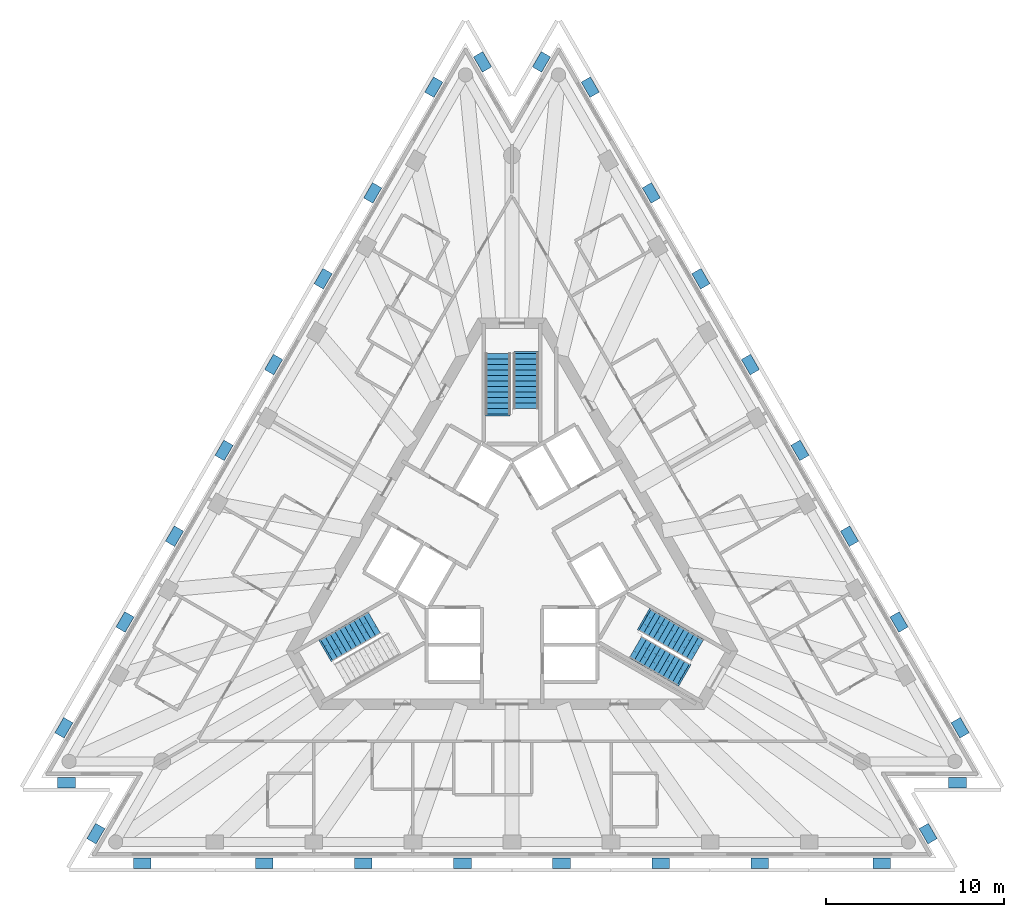
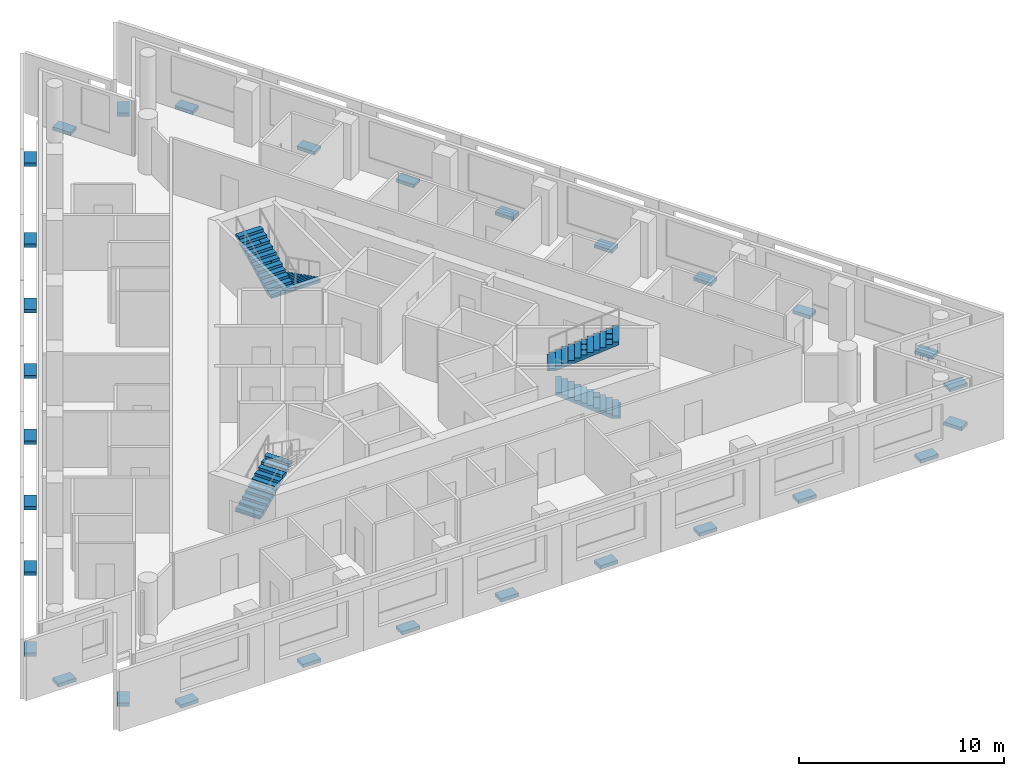
# One storey, part 8 of 10: 30 discrete accessories, 5 stair flights, 3 elements without a shape of their own.
"""IFC4 building model written with IfcOpenShell, lengths in metres."""

from ifc_helpers import new_model, si_unit, direction, frame, origin, origin_2d, place, context, subcontext, project, spatial, polyline, rectangle, outline, extrude, material, type_object, element, aggregate, save


model = new_model("IFC4")

# Units and contexts
model_context = context("Model", 3, precision=1e-05, world=origin(), true_north=direction((0.0, 1.0)))
body_context = subcontext(model_context, "Body", "Model", "MODEL_VIEW")
ifc_project = project(units=[si_unit("LENGTHUNIT", "METRE"), si_unit("AREAUNIT", "SQUARE_METRE"), si_unit("VOLUMEUNIT", "CUBIC_METRE"), si_unit("PLANEANGLEUNIT", "RADIAN"), si_unit("MASSUNIT", "GRAM", prefix="KILO")], contexts=[model_context])

# Site, building, storey
site_placement = place(None, origin())
site = spatial("IfcSite", under=ifc_project, at=site_placement, CompositionType="ELEMENT")
building_placement = place(site_placement, origin())
building = spatial("IfcBuilding", under=site, at=building_placement, Name="Triada Interchange Tower", CompositionType="ELEMENT")
storey_placement = place(building_placement, frame((0.0, 0.0, 268.300048828125)))
storey = spatial("IfcBuildingStorey", under=building, at=storey_placement, Name="L62", CompositionType="ELEMENT", Elevation=268.300048828125)

# Stair, stair flights
ifc_material_1 = material(Name="Concrete C35/45", Category="concrete")
stair_type = type_object("IfcStairType", Name="HALF TURN STAIR 1400", PredefinedType="HALF_TURN_STAIR", material=ifc_material_1)
stair_1_placement = place(storey_placement, origin())
stair_1 = element("IfcStair", 1, at=stair_1_placement, inside=storey, type_object=stair_type, Name="Exit stair S62-1", PredefinedType="HALF_TURN_STAIR")
stair_flight_type = type_object("IfcStairFlightType", Name="STRAIGHT STAIR FLIGHT 1400", PredefinedType="STRAIGHT", material=ifc_material_1)
stair_flight_1_placement = place(storey_placement, frame((0.800048828125, 11.60009765625, 0.0), z_axis=(0.0, 0.0, 1.0), x_axis=(0.0, -1.0, 0.0)))
stair_flight_1 = element("IfcStairFlight", 2, at=stair_flight_1_placement, type_object=stair_flight_type, Name="S62-1 flight 1", NumberOfRisers=11, NumberOfTreads=10, PredefinedType="STRAIGHT", RiserHeight=0.15652, TreadLength=0.31, context=body_context, shape_type="SweptSolid", body=[
    extrude(outline(polyline([(-0.10009765625, 0.0), (-0.10009765625, 0.02001953125), (0.0, 0.02001953125), (0.0, 0.156494140625), (0.31005859375, 0.156494140625), (0.31005859375, 0.31298828125), (0.6201171875, 0.31298828125), (0.6201171875, 0.469482421875), (0.929931640625, 0.469482421875), (0.929931640625, 0.6259765625), (1.239990234375, 0.6259765625), (1.239990234375, 0.78271484375), (1.550048828125, 0.78271484375), (1.550048828125, 0.939208984375), (1.860107421875, 0.939208984375), (1.860107421875, 1.095703125), (2.169921875, 1.095703125), (2.169921875, 1.252197265625), (2.47998046875, 1.252197265625), (2.47998046875, 1.40869140625), (2.7900390625, 1.40869140625), (2.7900390625, 1.565185546875), (3.10009765625, 1.565185546875), (3.10400390625, 1.565185546875), (3.10400390625, 1.7216796875), (3.10400390625, 1.397216796875), (0.33251953125, 0.0), (-0.10009765625, 0.0)])), frame((0.0, 0.699951171875, 0.0), z_axis=(0.0, -1.0, 0.0), x_axis=(1.0, 0.0, 0.0)), (0.0, 0.0, 1.0), 0.46533203125),
    extrude(outline(polyline([(-0.10009765625, 0.0), (-0.10009765625, 0.02001953125), (0.0, 0.02001953125), (0.0, 0.156494140625), (0.31005859375, 0.156494140625), (0.31005859375, 0.31298828125), (0.6201171875, 0.31298828125), (0.6201171875, 0.469482421875), (0.929931640625, 0.469482421875), (0.929931640625, 0.6259765625), (1.239990234375, 0.6259765625), (1.239990234375, 0.78271484375), (1.550048828125, 0.78271484375), (1.550048828125, 0.939208984375), (1.860107421875, 0.939208984375), (1.860107421875, 1.095703125), (2.169921875, 1.095703125), (2.169921875, 1.252197265625), (2.47998046875, 1.252197265625), (2.47998046875, 1.40869140625), (2.7900390625, 1.40869140625), (2.7900390625, 1.565185546875), (3.10009765625, 1.565185546875), (3.10400390625, 1.565185546875), (3.10400390625, 1.7216796875), (3.10400390625, 1.397216796875), (0.33251953125, 0.0), (-0.10009765625, 0.0)])), frame((0.0, 0.232666015625, 0.0), z_axis=(0.0, -1.0, 0.0), x_axis=(1.0, 0.0, 0.0)), (0.0, 0.0, 1.0), 0.46533203125),
    extrude(outline(polyline([(-0.10009765625, 0.0), (-0.10009765625, 0.02001953125), (0.0, 0.02001953125), (0.0, 0.156494140625), (0.31005859375, 0.156494140625), (0.31005859375, 0.31298828125), (0.6201171875, 0.31298828125), (0.6201171875, 0.469482421875), (0.929931640625, 0.469482421875), (0.929931640625, 0.6259765625), (1.239990234375, 0.6259765625), (1.239990234375, 0.78271484375), (1.550048828125, 0.78271484375), (1.550048828125, 0.939208984375), (1.860107421875, 0.939208984375), (1.860107421875, 1.095703125), (2.169921875, 1.095703125), (2.169921875, 1.252197265625), (2.47998046875, 1.252197265625), (2.47998046875, 1.40869140625), (2.7900390625, 1.40869140625), (2.7900390625, 1.565185546875), (3.10009765625, 1.565185546875), (3.10400390625, 1.565185546875), (3.10400390625, 1.7216796875), (3.10400390625, 1.397216796875), (0.33251953125, 0.0), (-0.10009765625, 0.0)])), frame((0.0, -0.234619140625, 0.0), z_axis=(0.0, -1.0, 0.0), x_axis=(1.0, 0.0, 0.0)), (0.0, 0.0, 1.0), 0.46533203125),
])
stair_flight_2_placement = place(storey_placement, frame((-0.800048828125, 8.18994140625, 1.7216796875), z_axis=(0.0, 0.0, 1.0), x_axis=(0.0, 1.0, 0.0)))
stair_flight_2 = element("IfcStairFlight", 3, at=stair_flight_2_placement, type_object=stair_flight_type, Name="S62-1 flight 2", NumberOfRisers=12, NumberOfTreads=11, PredefinedType="STRAIGHT", RiserHeight=0.15652, TreadLength=0.31, context=body_context, shape_type="SweptSolid", body=[
    extrude(outline(polyline([(-0.10009765625, 0.0), (-0.10009765625, 0.02001953125), (0.0, 0.02001953125), (0.0, 0.156494140625), (0.31005859375, 0.156494140625), (0.31005859375, 0.31298828125), (0.6201171875, 0.31298828125), (0.6201171875, 0.469482421875), (0.929931640625, 0.469482421875), (0.929931640625, 0.6259765625), (1.239990234375, 0.6259765625), (1.239990234375, 0.78271484375), (1.550048828125, 0.78271484375), (1.550048828125, 0.939208984375), (1.860107421875, 0.939208984375), (1.860107421875, 1.095703125), (2.169921875, 1.095703125), (2.169921875, 1.252197265625), (2.47998046875, 1.252197265625), (2.47998046875, 1.40869140625), (2.7900390625, 1.40869140625), (2.7900390625, 1.565185546875), (3.10009765625, 1.565185546875), (3.10009765625, 1.7216796875), (3.409912109375, 1.7216796875), (3.4140625, 1.7216796875), (3.4140625, 1.878173828125), (3.4140625, 1.5537109375), (0.33251953125, 0.0), (-0.10009765625, 0.0)])), frame((0.0, 0.699951171875, 0.0), z_axis=(0.0, -1.0, 0.0), x_axis=(1.0, 0.0, 0.0)), (0.0, 0.0, 1.0), 0.46533203125),
    extrude(outline(polyline([(-0.10009765625, 0.0), (-0.10009765625, 0.02001953125), (0.0, 0.02001953125), (0.0, 0.156494140625), (0.31005859375, 0.156494140625), (0.31005859375, 0.31298828125), (0.6201171875, 0.31298828125), (0.6201171875, 0.469482421875), (0.929931640625, 0.469482421875), (0.929931640625, 0.6259765625), (1.239990234375, 0.6259765625), (1.239990234375, 0.78271484375), (1.550048828125, 0.78271484375), (1.550048828125, 0.939208984375), (1.860107421875, 0.939208984375), (1.860107421875, 1.095703125), (2.169921875, 1.095703125), (2.169921875, 1.252197265625), (2.47998046875, 1.252197265625), (2.47998046875, 1.40869140625), (2.7900390625, 1.40869140625), (2.7900390625, 1.565185546875), (3.10009765625, 1.565185546875), (3.10009765625, 1.7216796875), (3.409912109375, 1.7216796875), (3.4140625, 1.7216796875), (3.4140625, 1.878173828125), (3.4140625, 1.5537109375), (0.33251953125, 0.0), (-0.10009765625, 0.0)])), frame((0.0, 0.232666015625, 0.0), z_axis=(0.0, -1.0, 0.0), x_axis=(1.0, 0.0, 0.0)), (0.0, 0.0, 1.0), 0.46533203125),
    extrude(outline(polyline([(-0.10009765625, 0.0), (-0.10009765625, 0.02001953125), (0.0, 0.02001953125), (0.0, 0.156494140625), (0.31005859375, 0.156494140625), (0.31005859375, 0.31298828125), (0.6201171875, 0.31298828125), (0.6201171875, 0.469482421875), (0.929931640625, 0.469482421875), (0.929931640625, 0.6259765625), (1.239990234375, 0.6259765625), (1.239990234375, 0.78271484375), (1.550048828125, 0.78271484375), (1.550048828125, 0.939208984375), (1.860107421875, 0.939208984375), (1.860107421875, 1.095703125), (2.169921875, 1.095703125), (2.169921875, 1.252197265625), (2.47998046875, 1.252197265625), (2.47998046875, 1.40869140625), (2.7900390625, 1.40869140625), (2.7900390625, 1.565185546875), (3.10009765625, 1.565185546875), (3.10009765625, 1.7216796875), (3.409912109375, 1.7216796875), (3.4140625, 1.7216796875), (3.4140625, 1.878173828125), (3.4140625, 1.5537109375), (0.33251953125, 0.0), (-0.10009765625, 0.0)])), frame((0.0, -0.234619140625, 0.0), z_axis=(0.0, -1.0, 0.0), x_axis=(1.0, 0.0, 0.0)), (0.0, 0.0, 1.0), 0.46533203125),
])
aggregate(stair_1, [stair_flight_1, stair_flight_2])

# Stair, stair flight
stair_2_placement = place(storey_placement, origin())
stair_2 = element("IfcStair", 4, at=stair_2_placement, inside=storey, type_object=stair_type, Name="Exit stair S62-2", PredefinedType="HALF_TURN_STAIR")
stair_flight_3_placement = place(storey_placement, frame((-10.446044921875, -5.10693359375, 0.0), z_axis=(0.0, 0.0, 1.0), x_axis=(0.866025403784, 0.5, 0.0)))
stair_flight_3 = element("IfcStairFlight", 5, at=stair_flight_3_placement, type_object=stair_flight_type, Name="S62-2 flight 1", NumberOfRisers=11, NumberOfTreads=10, PredefinedType="STRAIGHT", RiserHeight=0.15652, TreadLength=0.31, context=body_context, shape_type="SweptSolid", body=[
    extrude(outline(polyline([(-0.10009765625, 0.0), (-0.10009765625, 0.02001953125), (0.0, 0.02001953125), (0.0, 0.156494140625), (0.31005859375, 0.156494140625), (0.31005859375, 0.31298828125), (0.6201171875, 0.31298828125), (0.6201171875, 0.469482421875), (0.929931640625, 0.469482421875), (0.929931640625, 0.6259765625), (1.239990234375, 0.6259765625), (1.239990234375, 0.78271484375), (1.550048828125, 0.78271484375), (1.550048828125, 0.939208984375), (1.860107421875, 0.939208984375), (1.860107421875, 1.095703125), (2.169921875, 1.095703125), (2.169921875, 1.252197265625), (2.47998046875, 1.252197265625), (2.47998046875, 1.40869140625), (2.7900390625, 1.40869140625), (2.7900390625, 1.565185546875), (3.10009765625, 1.565185546875), (3.10400390625, 1.565185546875), (3.10400390625, 1.7216796875), (3.10400390625, 1.397216796875), (0.33251953125, 0.0), (-0.10009765625, 0.0)])), frame((0.0, 0.699951171875, 0.0), z_axis=(0.0, -1.0, 0.0), x_axis=(1.0, 0.0, 0.0)), (0.0, 0.0, 1.0), 0.46533203125),
    extrude(outline(polyline([(-0.10009765625, 0.0), (-0.10009765625, 0.02001953125), (0.0, 0.02001953125), (0.0, 0.156494140625), (0.31005859375, 0.156494140625), (0.31005859375, 0.31298828125), (0.6201171875, 0.31298828125), (0.6201171875, 0.469482421875), (0.929931640625, 0.469482421875), (0.929931640625, 0.6259765625), (1.239990234375, 0.6259765625), (1.239990234375, 0.78271484375), (1.550048828125, 0.78271484375), (1.550048828125, 0.939208984375), (1.860107421875, 0.939208984375), (1.860107421875, 1.095703125), (2.169921875, 1.095703125), (2.169921875, 1.252197265625), (2.47998046875, 1.252197265625), (2.47998046875, 1.40869140625), (2.7900390625, 1.40869140625), (2.7900390625, 1.565185546875), (3.10009765625, 1.565185546875), (3.10400390625, 1.565185546875), (3.10400390625, 1.7216796875), (3.10400390625, 1.397216796875), (0.33251953125, 0.0), (-0.10009765625, 0.0)])), frame((0.0, 0.232666015625, 0.0), z_axis=(0.0, -1.0, 0.0), x_axis=(1.0, 0.0, 0.0)), (0.0, 0.0, 1.0), 0.46533203125),
    extrude(outline(polyline([(-0.10009765625, 0.0), (-0.10009765625, 0.02001953125), (0.0, 0.02001953125), (0.0, 0.156494140625), (0.31005859375, 0.156494140625), (0.31005859375, 0.31298828125), (0.6201171875, 0.31298828125), (0.6201171875, 0.469482421875), (0.929931640625, 0.469482421875), (0.929931640625, 0.6259765625), (1.239990234375, 0.6259765625), (1.239990234375, 0.78271484375), (1.550048828125, 0.78271484375), (1.550048828125, 0.939208984375), (1.860107421875, 0.939208984375), (1.860107421875, 1.095703125), (2.169921875, 1.095703125), (2.169921875, 1.252197265625), (2.47998046875, 1.252197265625), (2.47998046875, 1.40869140625), (2.7900390625, 1.40869140625), (2.7900390625, 1.565185546875), (3.10009765625, 1.565185546875), (3.10400390625, 1.565185546875), (3.10400390625, 1.7216796875), (3.10400390625, 1.397216796875), (0.33251953125, 0.0), (-0.10009765625, 0.0)])), frame((0.0, -0.234619140625, 0.0), z_axis=(0.0, -1.0, 0.0), x_axis=(1.0, 0.0, 0.0)), (0.0, 0.0, 1.0), 0.46533203125),
])
aggregate(stair_2, [stair_flight_3])

# Stair, stair flights
stair_3_placement = place(storey_placement, origin())
stair_3 = element("IfcStair", 6, at=stair_3_placement, inside=storey, type_object=stair_type, Name="Exit stair S62-3", PredefinedType="HALF_TURN_STAIR")
stair_flight_4_placement = place(storey_placement, frame((9.64599609375, -6.492919921875, 0.0), z_axis=(0.0, 0.0, 1.0), x_axis=(-0.866025403784, 0.5, 0.0)))
stair_flight_4 = element("IfcStairFlight", 7, at=stair_flight_4_placement, type_object=stair_flight_type, Name="S62-3 flight 1", NumberOfRisers=11, NumberOfTreads=10, PredefinedType="STRAIGHT", RiserHeight=0.15652, TreadLength=0.31, context=body_context, shape_type="SweptSolid", body=[
    extrude(outline(polyline([(-0.10009765625, 0.0), (-0.10009765625, 0.02001953125), (0.0, 0.02001953125), (0.0, 0.156494140625), (0.31005859375, 0.156494140625), (0.31005859375, 0.31298828125), (0.6201171875, 0.31298828125), (0.6201171875, 0.469482421875), (0.929931640625, 0.469482421875), (0.929931640625, 0.6259765625), (1.239990234375, 0.6259765625), (1.239990234375, 0.78271484375), (1.550048828125, 0.78271484375), (1.550048828125, 0.939208984375), (1.860107421875, 0.939208984375), (1.860107421875, 1.095703125), (2.169921875, 1.095703125), (2.169921875, 1.252197265625), (2.47998046875, 1.252197265625), (2.47998046875, 1.40869140625), (2.7900390625, 1.40869140625), (2.7900390625, 1.565185546875), (3.10009765625, 1.565185546875), (3.10400390625, 1.565185546875), (3.10400390625, 1.7216796875), (3.10400390625, 1.397216796875), (0.33251953125, 0.0), (-0.10009765625, 0.0)])), frame((0.0, 0.699951171875, 0.0), z_axis=(0.0, -1.0, 0.0), x_axis=(1.0, 0.0, 0.0)), (0.0, 0.0, 1.0), 0.46533203125),
    extrude(outline(polyline([(-0.10009765625, 0.0), (-0.10009765625, 0.02001953125), (0.0, 0.02001953125), (0.0, 0.156494140625), (0.31005859375, 0.156494140625), (0.31005859375, 0.31298828125), (0.6201171875, 0.31298828125), (0.6201171875, 0.469482421875), (0.929931640625, 0.469482421875), (0.929931640625, 0.6259765625), (1.239990234375, 0.6259765625), (1.239990234375, 0.78271484375), (1.550048828125, 0.78271484375), (1.550048828125, 0.939208984375), (1.860107421875, 0.939208984375), (1.860107421875, 1.095703125), (2.169921875, 1.095703125), (2.169921875, 1.252197265625), (2.47998046875, 1.252197265625), (2.47998046875, 1.40869140625), (2.7900390625, 1.40869140625), (2.7900390625, 1.565185546875), (3.10009765625, 1.565185546875), (3.10400390625, 1.565185546875), (3.10400390625, 1.7216796875), (3.10400390625, 1.397216796875), (0.33251953125, 0.0), (-0.10009765625, 0.0)])), frame((0.0, 0.232666015625, 0.0), z_axis=(0.0, -1.0, 0.0), x_axis=(1.0, 0.0, 0.0)), (0.0, 0.0, 1.0), 0.46533203125),
    extrude(outline(polyline([(-0.10009765625, 0.0), (-0.10009765625, 0.02001953125), (0.0, 0.02001953125), (0.0, 0.156494140625), (0.31005859375, 0.156494140625), (0.31005859375, 0.31298828125), (0.6201171875, 0.31298828125), (0.6201171875, 0.469482421875), (0.929931640625, 0.469482421875), (0.929931640625, 0.6259765625), (1.239990234375, 0.6259765625), (1.239990234375, 0.78271484375), (1.550048828125, 0.78271484375), (1.550048828125, 0.939208984375), (1.860107421875, 0.939208984375), (1.860107421875, 1.095703125), (2.169921875, 1.095703125), (2.169921875, 1.252197265625), (2.47998046875, 1.252197265625), (2.47998046875, 1.40869140625), (2.7900390625, 1.40869140625), (2.7900390625, 1.565185546875), (3.10009765625, 1.565185546875), (3.10400390625, 1.565185546875), (3.10400390625, 1.7216796875), (3.10400390625, 1.397216796875), (0.33251953125, 0.0), (-0.10009765625, 0.0)])), frame((0.0, -0.234619140625, 0.0), z_axis=(0.0, -1.0, 0.0), x_axis=(1.0, 0.0, 0.0)), (0.0, 0.0, 1.0), 0.46533203125),
])
stair_flight_5_placement = place(storey_placement, frame((7.492919921875, -3.402099609375, 1.7216796875), z_axis=(0.0, 0.0, 1.0), x_axis=(0.866025403784, -0.5, 0.0)))
stair_flight_5 = element("IfcStairFlight", 8, at=stair_flight_5_placement, type_object=stair_flight_type, Name="S62-3 flight 2", NumberOfRisers=12, NumberOfTreads=11, PredefinedType="STRAIGHT", RiserHeight=0.15652, TreadLength=0.31, context=body_context, shape_type="SweptSolid", body=[
    extrude(outline(polyline([(-0.10009765625, 0.0), (-0.10009765625, 0.02001953125), (0.0, 0.02001953125), (0.0, 0.156494140625), (0.31005859375, 0.156494140625), (0.31005859375, 0.31298828125), (0.6201171875, 0.31298828125), (0.6201171875, 0.469482421875), (0.929931640625, 0.469482421875), (0.929931640625, 0.6259765625), (1.239990234375, 0.6259765625), (1.239990234375, 0.78271484375), (1.550048828125, 0.78271484375), (1.550048828125, 0.939208984375), (1.860107421875, 0.939208984375), (1.860107421875, 1.095703125), (2.169921875, 1.095703125), (2.169921875, 1.252197265625), (2.47998046875, 1.252197265625), (2.47998046875, 1.40869140625), (2.7900390625, 1.40869140625), (2.7900390625, 1.565185546875), (3.10009765625, 1.565185546875), (3.10009765625, 1.7216796875), (3.409912109375, 1.7216796875), (3.4140625, 1.7216796875), (3.4140625, 1.878173828125), (3.4140625, 1.5537109375), (0.33251953125, 0.0), (-0.10009765625, 0.0)])), frame((0.0, 0.699951171875, 0.0), z_axis=(0.0, -1.0, 0.0), x_axis=(1.0, 0.0, 0.0)), (0.0, 0.0, 1.0), 0.46533203125),
    extrude(outline(polyline([(-0.10009765625, 0.0), (-0.10009765625, 0.02001953125), (0.0, 0.02001953125), (0.0, 0.156494140625), (0.31005859375, 0.156494140625), (0.31005859375, 0.31298828125), (0.6201171875, 0.31298828125), (0.6201171875, 0.469482421875), (0.929931640625, 0.469482421875), (0.929931640625, 0.6259765625), (1.239990234375, 0.6259765625), (1.239990234375, 0.78271484375), (1.550048828125, 0.78271484375), (1.550048828125, 0.939208984375), (1.860107421875, 0.939208984375), (1.860107421875, 1.095703125), (2.169921875, 1.095703125), (2.169921875, 1.252197265625), (2.47998046875, 1.252197265625), (2.47998046875, 1.40869140625), (2.7900390625, 1.40869140625), (2.7900390625, 1.565185546875), (3.10009765625, 1.565185546875), (3.10009765625, 1.7216796875), (3.409912109375, 1.7216796875), (3.4140625, 1.7216796875), (3.4140625, 1.878173828125), (3.4140625, 1.5537109375), (0.33251953125, 0.0), (-0.10009765625, 0.0)])), frame((0.0, 0.232666015625, 0.0), z_axis=(0.0, -1.0, 0.0), x_axis=(1.0, 0.0, 0.0)), (0.0, 0.0, 1.0), 0.46533203125),
    extrude(outline(polyline([(-0.10009765625, 0.0), (-0.10009765625, 0.02001953125), (0.0, 0.02001953125), (0.0, 0.156494140625), (0.31005859375, 0.156494140625), (0.31005859375, 0.31298828125), (0.6201171875, 0.31298828125), (0.6201171875, 0.469482421875), (0.929931640625, 0.469482421875), (0.929931640625, 0.6259765625), (1.239990234375, 0.6259765625), (1.239990234375, 0.78271484375), (1.550048828125, 0.78271484375), (1.550048828125, 0.939208984375), (1.860107421875, 0.939208984375), (1.860107421875, 1.095703125), (2.169921875, 1.095703125), (2.169921875, 1.252197265625), (2.47998046875, 1.252197265625), (2.47998046875, 1.40869140625), (2.7900390625, 1.40869140625), (2.7900390625, 1.565185546875), (3.10009765625, 1.565185546875), (3.10009765625, 1.7216796875), (3.409912109375, 1.7216796875), (3.4140625, 1.7216796875), (3.4140625, 1.878173828125), (3.4140625, 1.5537109375), (0.33251953125, 0.0), (-0.10009765625, 0.0)])), frame((0.0, -0.234619140625, 0.0), z_axis=(0.0, -1.0, 0.0), x_axis=(1.0, 0.0, 0.0)), (0.0, 0.0, 1.0), 0.46533203125),
])
aggregate(stair_3, [stair_flight_4, stair_flight_5])

# Discrete accessories
ifc_material_2 = material(Name="Steel S355", Category="steel")
discrete_accessory_type = type_object("IfcDiscreteAccessoryType", Name="Steel bracket outer skin", PredefinedType="BRACKET", material=ifc_material_2)
for number, where, z_axis, x_axis, name in (
    (9, (-4.406982421875, 26.60107421875, -0.27001953125), (0.0, 0.0, 1.0), (-0.866029060226, 0.499993666804, 0.0), "Bracket L62 01"),
    (10, (-7.846923828125, 20.64306640625, -0.27001953125), (0.0, 0.0, 1.0), (-0.866029060226, 0.499993666804, 0.0), "Bracket L62 02"),
    (11, (-10.637939453125, 15.80908203125, -0.27001953125), (0.0, 0.0, 1.0), (-0.866029060226, 0.499993666804, 0.0), "Bracket L62 03"),
    (12, (-13.427978515625, 10.97509765625, -0.27001953125), (0.0, 0.0, 1.0), (-0.866029060226, 0.499993666804, 0.0), "Bracket L62 04"),
    (13, (-16.218994140625, 6.14208984375, -0.27001953125), (0.0, 0.0, 1.0), (-0.866029060226, 0.499993666804, 0.0), "Bracket L62 05"),
    (14, (-19.010009765625, 1.30810546875, -0.27001953125), (0.0, 0.0, 1.0), (-0.866029060226, 0.499993666804, 0.0), "Bracket L62 06"),
    (15, (-21.800048828125, -3.52587890625, -0.27001953125), (0.0, 0.0, 1.0), (-0.866029060226, 0.499993666804, 0.0), "Bracket L62 07"),
    (16, (-25.240966796875, -9.48388671875, -0.27001953125), (0.0, 0.0, 1.0), (-0.866029060226, 0.499993666804, 0.0), "Bracket L62 08"),
    (17, (-25.096923828125, -12.575927734375, -0.27001953125), (0.0, 0.0, 1.0), (0.0, -1.0, 0.0), "Bracket L62 09"),
    (18, (-23.43994140625, -15.447021484375, -0.27001953125), (0.0, 0.0, 1.0), (-0.866004555074, 0.500036109288, 0.0), "Bracket L62 10"),
    (19, (-20.833984375, -17.116943359375, -0.27001953125), (0.0, 0.0, 1.0), (0.0, -1.0, 0.0), "Bracket L62 11"),
    (20, (-13.9541015625, -17.116943359375, -0.27001953125), (0.0, 0.0, 1.0), (0.0, -1.0, 0.0), "Bracket L62 12"),
    (21, (-8.3720703125, -17.116943359375, -0.27001953125), (0.0, 0.0, 1.0), (0.0, -1.0, 0.0), "Bracket L62 13"),
    (22, (-2.791015625, -17.116943359375, -0.27001953125), (0.0, 0.0, 1.0), (0.0, -1.0, 0.0), "Bracket L62 14"),
    (23, (2.791015625, -17.116943359375, -0.27001953125), (0.0, 0.0, 1.0), (0.0, -1.0, 0.0), "Bracket L62 15"),
    (24, (8.3720703125, -17.116943359375, -0.27001953125), (0.0, 0.0, 1.0), (0.0, -1.0, 0.0), "Bracket L62 16"),
    (25, (13.9541015625, -17.116943359375, -0.27001953125), (0.0, 0.0, 1.0), (0.0, -1.0, 0.0), "Bracket L62 17"),
    (26, (20.833984375, -17.116943359375, -0.27001953125), (0.0, 0.0, 1.0), (0.0, -1.0, 0.0), "Bracket L62 18"),
    (27, (23.43994140625, -15.447021484375, -0.27001953125), (0.0, 0.0, 1.0), (0.866004555074, 0.500036109288, 0.0), "Bracket L62 19"),
    (28, (25.096923828125, -12.575927734375, -0.27001953125), (0.0, 0.0, 1.0), (0.0, -1.0, 0.0), "Bracket L62 20"),
    (29, (25.240966796875, -9.48388671875, -0.27001953125), (0.0, 0.0, 1.0), (0.866029060226, 0.499993666804, 0.0), "Bracket L62 21"),
    (30, (21.800048828125, -3.52587890625, -0.27001953125), (0.0, 0.0, 1.0), (0.866029060226, 0.499993666804, 0.0), "Bracket L62 22"),
    (31, (19.010009765625, 1.30810546875, -0.27001953125), (0.0, 0.0, 1.0), (0.866029060226, 0.499993666804, 0.0), "Bracket L62 23"),
    (32, (16.218994140625, 6.14208984375, -0.27001953125), (0.0, 0.0, 1.0), (0.866029060226, 0.499993666804, 0.0), "Bracket L62 24"),
    (33, (13.427978515625, 10.97509765625, -0.27001953125), (0.0, 0.0, 1.0), (0.866029060226, 0.499993666804, 0.0), "Bracket L62 25"),
    (34, (10.637939453125, 15.80908203125, -0.27001953125), (0.0, 0.0, 1.0), (0.866029060226, 0.499993666804, 0.0), "Bracket L62 26"),
    (35, (7.846923828125, 20.64306640625, -0.27001953125), (0.0, 0.0, 1.0), (0.866029060226, 0.499993666804, 0.0), "Bracket L62 27"),
    (36, (4.406982421875, 26.60107421875, -0.27001953125), (0.0, 0.0, 1.0), (0.866029060226, 0.499993666804, 0.0), "Bracket L62 28"),
    (37, (1.657958984375, 28.02294921875, -0.27001953125), (0.0, 0.0, 1.0), (-0.865956865297, 0.500118693357, 0.0), "Bracket L62 29"),
    (38, (-1.657958984375, 28.02294921875, -0.27001953125), (0.0, 0.0, 1.0), (0.865956865297, 0.500118693357, 0.0), "Bracket L62 30"),
):
    element("IfcDiscreteAccessory", number, at=place(storey_placement, frame(where, z_axis=z_axis, x_axis=x_axis)), inside=storey, type_object=discrete_accessory_type, Name=name, PredefinedType="BRACKET", context=body_context, shape_type="SweptSolid", body=[
        extrude(rectangle(XDim=0.60009765625, YDim=1.0, at=origin_2d()), origin(), (0.0, 0.0, 1.0), 0.199951171875),
    ])

save(model, "model.ifc")
